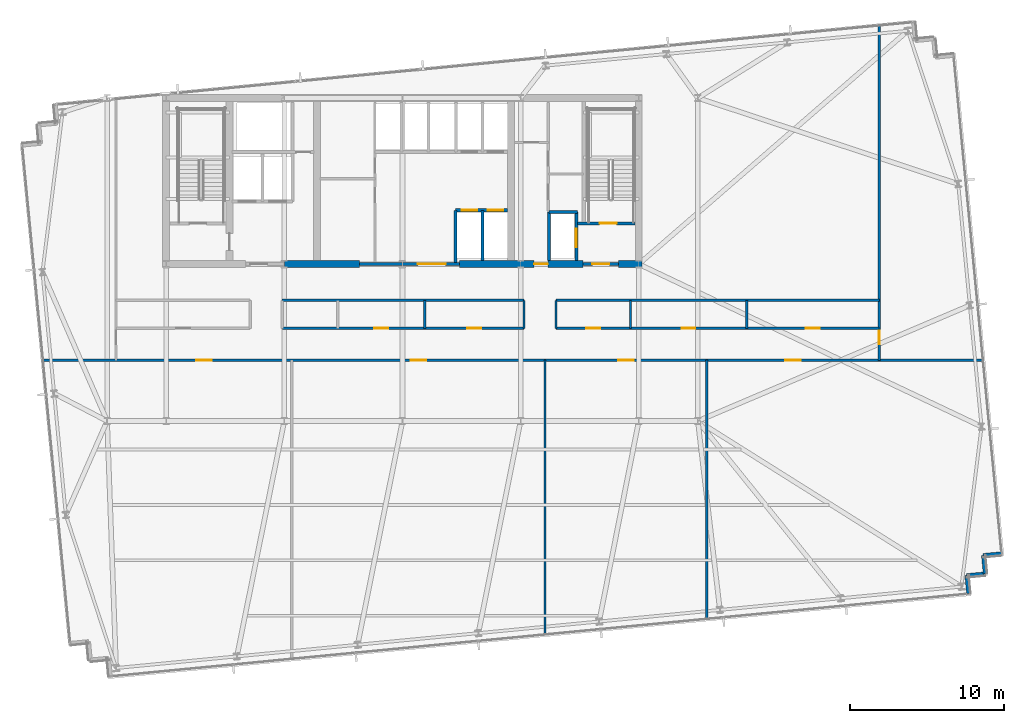
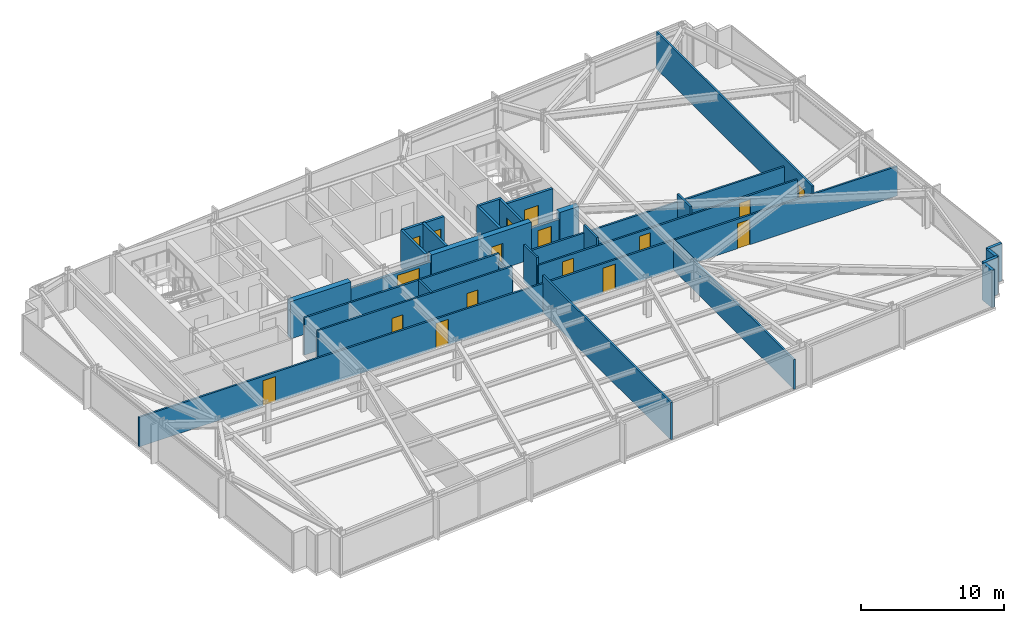
# One storey, part 25 of 32: 29 walls, 17 doors, 17 openings.
"""IFC4 building model written with IfcOpenShell, lengths in metres."""

from ifc_helpers import new_model, si_unit, direction, frame, frame_2d, origin, place, context, subcontext, project, spatial, rectangle, extrude, material, layer, layer_set, type_object, element, fill, save


model = new_model("IFC4")

# Units and contexts
model_context = context("Model", 3, precision=1e-05, world=origin(), true_north=direction((0.0, 1.0)))
body_context = subcontext(model_context, "Body", "Model", "MODEL_VIEW")
ifc_project = project(units=[si_unit("LENGTHUNIT", "METRE"), si_unit("AREAUNIT", "SQUARE_METRE"), si_unit("VOLUMEUNIT", "CUBIC_METRE"), si_unit("PLANEANGLEUNIT", "RADIAN"), si_unit("MASSUNIT", "GRAM", prefix="KILO")], contexts=[model_context])

# Site, building, storey
site_placement = place(None, origin())
site = spatial("IfcSite", under=ifc_project, at=site_placement, CompositionType="ELEMENT")
building_placement = place(site_placement, origin())
building = spatial("IfcBuilding", under=site, at=building_placement, Name="Yelkora Congress Tower", CompositionType="ELEMENT")
storey_placement = place(building_placement, frame((0.0, 0.0, 120.300048828125)))
storey = spatial("IfcBuildingStorey", under=building, at=storey_placement, Name="L32", CompositionType="ELEMENT", Elevation=120.300048828125)

# Wall
ifc_material_1 = material(Name="Concrete C60/75", Category="concrete")
ifc_layer_1 = layer(ifc_material_1, 0.449951171875)
ifc_layer_set_1 = layer_set([ifc_layer_1], Name="Concrete C60/75")
wall_type_1 = type_object("IfcWallType", Name="WALL-CORE-INT-450", PredefinedType="SHEAR", material=ifc_layer_set_1)
wall_1_placement = place(storey_placement, frame((30.719970703125, 35.39990234375, 0.0), z_axis=(0.0, 0.0, 1.0), x_axis=(1.0, 0.0, 0.0)))
element("IfcWall", 1, at=wall_1_placement, inside=storey, type_object=wall_type_1, Name="L32 Rear Core South-Center Shear Pier", PredefinedType="SHEAR", context=body_context, shape_type="SweptSolid", body=[
    extrude(rectangle(XDim=4.880126953125, YDim=0.449951171875, at=frame_2d((2.43994140625, 0.0))), origin(), (0.0, 0.0, 1.0), 3.179931640625),
])

# Wall, opening, door
wall_2_placement = place(storey_placement, frame((42.10009765625, 35.39990234375, 0.0), z_axis=(0.0, 0.0, 1.0), x_axis=(1.0, 0.0, 0.0)))
wall_2 = element("IfcWall", 2, at=wall_2_placement, inside=storey, type_object=wall_type_1, Name="L32 Rear Core South-East Shear Wall A", PredefinedType="SHEAR", context=body_context, shape_type="SweptSolid", body=[
    extrude(rectangle(XDim=8.0498046875, YDim=0.449951171875, at=frame_2d((4.02490234375, 0.0))), origin(), (0.0, 0.0, 1.0), 3.179931640625),
])
opening_1_placement = place(wall_2_placement, frame((4.85009765625, 0.0, 0.0)))
opening_1 = element("IfcOpeningElement", 3, at=opening_1_placement, cuts=wall_2, Name="Opening DR-090F6", PredefinedType="OPENING", context=body_context, shape_type="SweptSolid", body=[
    extrude(rectangle(XDim=0.89990234375, YDim=2.14990234375, at=frame_2d((0.449951171875, 1.074951171875))), frame((0.0, 0.23486328125, 0.0), z_axis=(0.0, -1.0, 0.0), x_axis=(1.0, 0.0, 0.0)), (0.0, 0.0, 1.0), 0.469970703125),
])
ifc_material_2 = material(Name="Painted steel riser fire door leaf", Category="steel")
door_type_1 = type_object("IfcDoorType", Name="DOOR-FD60-900", OperationType="NOTDEFINED", PredefinedType="DOOR", material=ifc_material_2)
door_1_placement = place(opening_1_placement, origin())
door_1 = element("IfcDoor", 4, at=door_1_placement, inside=storey, type_object=door_type_1, Name="L32 Core Washroom Lobby Door", OperationType="SINGLE_SWING_RIGHT", OverallHeight=2.14990234375, OverallWidth=0.89990234375, PredefinedType="DOOR", context=body_context, shape_type="SweptSolid", body=[
    extrude(rectangle(XDim=0.89990234375, YDim=2.14990234375, at=frame_2d((0.449951171875, 1.074951171875))), frame((0.0, 0.02490234375, 0.0), z_axis=(0.0, -1.0, 0.0), x_axis=(1.0, 0.0, 0.0)), (0.0, 0.0, 1.0), 0.050048828125),
])
fill(opening_1, door_1)

# Walls
wall_3_placement = place(storey_placement, frame((52.449951171875, 35.39990234375, 0.0), z_axis=(0.0, 0.0, 1.0), x_axis=(1.0, 0.0, 0.0)))
element("IfcWall", 5, at=wall_3_placement, inside=storey, type_object=wall_type_1, Name="L32 Rear Core South-East Shear Wall B", PredefinedType="SHEAR", context=body_context, shape_type="SweptSolid", body=[
    extrude(rectangle(XDim=1.53515625, YDim=0.449951171875, at=frame_2d((0.767578125, 0.0))), origin(), (0.0, 0.0, 1.0), 3.179931640625),
])
ifc_material_3 = material(Name="Concrete C40/50", Category="concrete")
ifc_layer_2 = layer(ifc_material_3, 0.239990234375)
ifc_layer_set_2 = layer_set([ifc_layer_2], Name="Concrete C40/50")
wall_type_2 = type_object("IfcWallType", Name="WALL-EXT-LIMESTONE-240", PredefinedType="SOLIDWALL", material=ifc_layer_set_2)
wall_4_placement = place(storey_placement, frame((77.34765625, 16.585693359375, 0.0), z_axis=(0.0, 0.0, 1.0), x_axis=(-0.995397091755, -0.095836473879, 0.0)))
element("IfcWall", 6, at=wall_4_placement, inside=storey, type_object=wall_type_2, Name="L32 Serrated Corner Limestone Pier 16", PredefinedType="SOLIDWALL", context=body_context, shape_type="SweptSolid", body=[
    extrude(rectangle(XDim=1.199951171875, YDim=0.239990234375, at=frame_2d((0.60009765625, 0.0))), origin(), (0.0, 0.0, 1.0), 3.179931640625),
])
for number, where, z_axis, x_axis, name in (
    (7, (76.1533203125, 16.470703125, 0.0), (0.0, 0.0, 1.0), (0.095817067274, -0.995398960025, 0.0), "L32 Serrated Corner Limestone Pier 17"),
    (8, (76.268310546875, 15.276123046875, 0.0), (0.0, 0.0, 1.0), (-0.995398960025, -0.095817067274, 0.0), "L32 Serrated Corner Limestone Pier 18"),
):
    element("IfcWall", number, at=place(storey_placement, frame(where, z_axis=z_axis, x_axis=x_axis)), inside=storey, type_object=wall_type_2, Name=name, PredefinedType="SOLIDWALL", context=body_context, shape_type="SweptSolid", body=[
        extrude(rectangle(XDim=1.2001953125, YDim=0.239990234375, at=frame_2d((0.60009765625, 0.0))), origin(), (0.0, 0.0, 1.0), 3.179931640625),
    ])
wall_5_placement = place(storey_placement, frame((75.07373046875, 15.1611328125, 0.0), z_axis=(0.0, 0.0, 1.0), x_axis=(0.095836473879, -0.995397091755, 0.0)))
element("IfcWall", 9, at=wall_5_placement, inside=storey, type_object=wall_type_2, Name="L32 Serrated Corner Limestone Pier 19", PredefinedType="SOLIDWALL", context=body_context, shape_type="SweptSolid", body=[
    extrude(rectangle(XDim=1.199951171875, YDim=0.239990234375, at=frame_2d((0.60009765625, 0.0))), origin(), (0.0, 0.0, 1.0), 3.179931640625),
])
ifc_material_4 = material(Name="Acoustic metal-stud gypsum partition", Category="gypsum")
ifc_layer_3 = layer(ifc_material_4, 0.14990234375)
ifc_layer_set_3 = layer_set([ifc_layer_3], Name="Acoustic metal-stud gypsum partition")
wall_type_3 = type_object("IfcWallType", Name="WALL-INT-150-NR", PredefinedType="PARTITIONING", material=ifc_layer_set_3)
wall_6_placement = place(storey_placement, frame((47.659912109375, 11.255615234375, 0.0), z_axis=(0.0, 0.0, 1.0), x_axis=(0.0, 1.0, 0.0)))
element("IfcWall", 10, at=wall_6_placement, inside=storey, type_object=wall_type_3, Name="L32 Partition Wall 28", PredefinedType="PARTITIONING", context=body_context, shape_type="SweptSolid", body=[
    extrude(rectangle(XDim=17.914306640625, YDim=0.14990234375, at=frame_2d((8.95703125, 0.0))), origin(), (0.0, 0.0, 1.0), 3.179931640625),
])
wall_7_placement = place(storey_placement, frame((58.176025390625, 12.268310546875, 0.0), z_axis=(0.0, 0.0, 1.0), x_axis=(0.0, 1.0, 0.0)))
element("IfcWall", 11, at=wall_7_placement, inside=storey, type_object=wall_type_3, Name="L32 Partition Wall 29", PredefinedType="PARTITIONING", context=body_context, shape_type="SweptSolid", body=[
    extrude(rectangle(XDim=16.901611328125, YDim=0.14990234375, at=frame_2d((8.45068359375, 0.0))), origin(), (0.0, 0.0, 1.0), 2.52490234375),
])

# Wall, openings, doors
wall_8_placement = place(storey_placement, frame((14.976318359375, 29.14990234375, 0.0), z_axis=(0.0, 0.0, 1.0), x_axis=(1.0, 0.0, 0.0)))
wall_8 = element("IfcWall", 12, at=wall_8_placement, inside=storey, type_object=wall_type_3, Name="L32 South Spine Wall", PredefinedType="PARTITIONING", context=body_context, shape_type="SweptSolid", body=[
    extrude(rectangle(XDim=61.221923828125, YDim=0.14990234375, at=frame_2d((30.61083984375, 0.0))), origin(), (0.0, 0.0, 1.0), 2.52490234375),
])
opening_2_placement = place(wall_8_placement, frame((10.01171875, 0.0, 0.0)))
opening_2 = element("IfcOpeningElement", 13, at=opening_2_placement, cuts=wall_8, Name="Opening DR-100N", PredefinedType="OPENING", context=body_context, shape_type="SweptSolid", body=[
    extrude(rectangle(XDim=1.0, YDim=2.14990234375, at=frame_2d((0.5, 1.074951171875))), frame((0.0, 0.0849609375, 0.0), z_axis=(0.0, -1.0, 0.0), x_axis=(1.0, 0.0, 0.0)), (0.0, 0.0, 1.0), 0.169921875),
])
opening_3_placement = place(wall_8_placement, frame((23.95361328125, 0.0, 0.0)))
opening_3 = element("IfcOpeningElement", 14, at=opening_3_placement, cuts=wall_8, Name="Opening DR-100N", PredefinedType="OPENING", context=body_context, shape_type="SweptSolid", body=[
    extrude(rectangle(XDim=1.0, YDim=2.14990234375, at=frame_2d((0.5, 1.074951171875))), frame((0.0, 0.0849609375, 0.0), z_axis=(0.0, -1.0, 0.0), x_axis=(1.0, 0.0, 0.0)), (0.0, 0.0, 1.0), 0.169921875),
])
opening_4_placement = place(wall_8_placement, frame((37.441650390625, 0.0, 0.0)))
opening_4 = element("IfcOpeningElement", 15, at=opening_4_placement, cuts=wall_8, Name="Opening DR-100N", PredefinedType="OPENING", context=body_context, shape_type="SweptSolid", body=[
    extrude(rectangle(XDim=1.0, YDim=2.14990234375, at=frame_2d((0.5, 1.074951171875))), frame((0.0, 0.0849609375, 0.0), z_axis=(0.0, -1.0, 0.0), x_axis=(1.0, 0.0, 0.0)), (0.0, 0.0, 1.0), 0.169921875),
])
opening_5_placement = place(wall_8_placement, frame((48.310546875, 0.0, 0.0)))
opening_5 = element("IfcOpeningElement", 16, at=opening_5_placement, cuts=wall_8, Name="Opening DR-100N", PredefinedType="OPENING", context=body_context, shape_type="SweptSolid", body=[
    extrude(rectangle(XDim=1.0, YDim=2.14990234375, at=frame_2d((0.5, 1.074951171875))), frame((0.0, 0.0849609375, 0.0), z_axis=(0.0, -1.0, 0.0), x_axis=(1.0, 0.0, 0.0)), (0.0, 0.0, 1.0), 0.169921875),
])
ifc_material_5 = material(Name="Solid-core Anatolian oak veneer door", Category="wood")
door_type_2 = type_object("IfcDoorType", Name="DOOR-INT-1000", OperationType="NOTDEFINED", PredefinedType="DOOR", material=ifc_material_5)
door_2_placement = place(opening_2_placement, origin())
door_2 = element("IfcDoor", 17, at=door_2_placement, inside=storey, type_object=door_type_2, Name="L32 Open-Plan Office Door", OperationType="SINGLE_SWING_LEFT", OverallHeight=2.14990234375, OverallWidth=1.0, PredefinedType="DOOR", context=body_context, shape_type="SweptSolid", body=[
    extrude(rectangle(XDim=1.0, YDim=2.14990234375, at=frame_2d((0.5, 1.074951171875))), frame((0.0, 0.02490234375, 0.0), z_axis=(0.0, -1.0, 0.0), x_axis=(1.0, 0.0, 0.0)), (0.0, 0.0, 1.0), 0.050048828125),
])
fill(opening_2, door_2)
door_3_placement = place(opening_3_placement, origin())
door_3 = element("IfcDoor", 18, at=door_3_placement, inside=storey, type_object=door_type_2, Name="L32 Collaboration Living Hub Door", OperationType="SINGLE_SWING_RIGHT", OverallHeight=2.14990234375, OverallWidth=1.0, PredefinedType="DOOR", context=body_context, shape_type="SweptSolid", body=[
    extrude(rectangle(XDim=1.0, YDim=2.14990234375, at=frame_2d((0.5, 1.074951171875))), frame((0.0, 0.02490234375, 0.0), z_axis=(0.0, -1.0, 0.0), x_axis=(1.0, 0.0, 0.0)), (0.0, 0.0, 1.0), 0.050048828125),
])
fill(opening_3, door_3)
door_4_placement = place(opening_4_placement, origin())
door_4 = element("IfcDoor", 19, at=door_4_placement, inside=storey, type_object=door_type_2, Name="L32 Catering Kitchenette Door", OperationType="SINGLE_SWING_LEFT", OverallHeight=2.14990234375, OverallWidth=1.0, PredefinedType="DOOR", context=body_context, shape_type="SweptSolid", body=[
    extrude(rectangle(XDim=1.0, YDim=2.14990234375, at=frame_2d((0.5, 1.074951171875))), frame((0.0, 0.02490234375, 0.0), z_axis=(0.0, -1.0, 0.0), x_axis=(1.0, 0.0, 0.0)), (0.0, 0.0, 1.0), 0.050048828125),
])
fill(opening_4, door_4)
door_5_placement = place(opening_5_placement, origin())
door_5 = element("IfcDoor", 20, at=door_5_placement, inside=storey, type_object=door_type_2, Name="L32 Catering Kitchenette Door", OperationType="SINGLE_SWING_RIGHT", OverallHeight=2.14990234375, OverallWidth=1.0, PredefinedType="DOOR", context=body_context, shape_type="SweptSolid", body=[
    extrude(rectangle(XDim=1.0, YDim=2.14990234375, at=frame_2d((0.5, 1.074951171875))), frame((0.0, 0.02490234375, 0.0), z_axis=(0.0, -1.0, 0.0), x_axis=(1.0, 0.0, 0.0)), (0.0, 0.0, 1.0), 0.050048828125),
])
fill(opening_5, door_5)

# Wall, opening, door
wall_9_placement = place(storey_placement, frame((69.39794921875, 29.14990234375, 0.0), z_axis=(0.0, 0.0, 1.0), x_axis=(0.0, 1.0, 0.0)))
wall_9 = element("IfcWall", 21, at=wall_9_placement, inside=storey, type_object=wall_type_3, Name="L32 Partition Wall 32", PredefinedType="PARTITIONING", context=body_context, shape_type="SweptSolid", body=[
    extrude(rectangle(XDim=21.81201171875, YDim=0.14990234375, at=frame_2d((10.906005859375, 0.0))), origin(), (0.0, 0.0, 1.0), 3.179931640625),
])
opening_6_placement = place(wall_9_placement, frame((1.030029296875, 0.0, 0.0)))
opening_6 = element("IfcOpeningElement", 22, at=opening_6_placement, cuts=wall_9, Name="Opening DR-090N", PredefinedType="OPENING", context=body_context, shape_type="SweptSolid", body=[
    extrude(rectangle(XDim=0.89990234375, YDim=2.14990234375, at=frame_2d((0.449951171875, 1.074951171875))), frame((0.0, 0.0849609375, 0.0), z_axis=(0.0, -1.0, 0.0), x_axis=(1.0, 0.0, 0.0)), (0.0, 0.0, 1.0), 0.169921875),
])
ifc_material_6 = material(Name="Moisture-resistant laminate door leaf", Category="wood")
door_type_3 = type_object("IfcDoorType", Name="DOOR-INT-900", OperationType="NOTDEFINED", PredefinedType="DOOR", material=ifc_material_6)
door_6_placement = place(opening_6_placement, origin())
door_6 = element("IfcDoor", 23, at=door_6_placement, inside=storey, type_object=door_type_3, Name="L32 E Wing Door", OperationType="SINGLE_SWING_RIGHT", OverallHeight=2.14990234375, OverallWidth=0.89990234375, PredefinedType="DOOR", context=body_context, shape_type="SweptSolid", body=[
    extrude(rectangle(XDim=0.89990234375, YDim=2.14990234375, at=frame_2d((0.449951171875, 1.074951171875))), frame((0.0, 0.02490234375, 0.0), z_axis=(0.0, -1.0, 0.0), x_axis=(1.0, 0.0, 0.0)), (0.0, 0.0, 1.0), 0.050048828125),
])
fill(opening_6, door_6)

# Walls
wall_10_placement = place(storey_placement, frame((46.300048828125, 31.22998046875, 0.0), z_axis=(0.0, 0.0, 1.0), x_axis=(0.0, 1.0, 0.0)))
element("IfcWall", 24, at=wall_10_placement, inside=storey, type_object=wall_type_3, Name="L32 Partition Wall 35", PredefinedType="PARTITIONING", context=body_context, shape_type="SweptSolid", body=[
    extrude(rectangle(XDim=1.820068359375, YDim=0.14990234375, at=frame_2d((0.91015625, 0.0))), origin(), (0.0, 0.0, 1.0), 2.52490234375),
])
wall_11_placement = place(storey_placement, frame((48.3798828125, 31.22998046875, 0.0), z_axis=(0.0, 0.0, 1.0), x_axis=(0.0, 1.0, 0.0)))
element("IfcWall", 25, at=wall_11_placement, inside=storey, type_object=wall_type_3, Name="L32 Partition Wall 36", PredefinedType="PARTITIONING", context=body_context, shape_type="SweptSolid", body=[
    extrude(rectangle(XDim=1.820068359375, YDim=0.14990234375, at=frame_2d((0.91015625, 0.0))), origin(), (0.0, 0.0, 1.0), 3.179931640625),
])
wall_12_placement = place(storey_placement, frame((30.580078125, 33.050048828125, 0.0), z_axis=(0.0, 0.0, 1.0), x_axis=(1.0, 0.0, 0.0)))
element("IfcWall", 26, at=wall_12_placement, inside=storey, type_object=wall_type_3, Name="L32 Partition Wall 38", PredefinedType="PARTITIONING", context=body_context, shape_type="SweptSolid", body=[
    extrude(rectangle(XDim=15.719970703125, YDim=0.14990234375, at=frame_2d((7.85986328125, 0.0))), origin(), (0.0, 0.0, 1.0), 3.179931640625),
])
wall_13_placement = place(storey_placement, frame((48.3798828125, 33.050048828125, 0.0), z_axis=(0.0, 0.0, 1.0), x_axis=(1.0, 0.0, 0.0)))
element("IfcWall", 27, at=wall_13_placement, inside=storey, type_object=wall_type_3, Name="L32 Partition Wall 39", PredefinedType="PARTITIONING", context=body_context, shape_type="SweptSolid", body=[
    extrude(rectangle(XDim=21.01806640625, YDim=0.14990234375, at=frame_2d((10.509033203125, 0.0))), origin(), (0.0, 0.0, 1.0), 2.52490234375),
])
wall_14_placement = place(storey_placement, frame((39.85302734375, 31.22998046875, 0.0), z_axis=(0.0, 0.0, 1.0), x_axis=(0.0, 1.0, 0.0)))
element("IfcWall", 28, at=wall_14_placement, inside=storey, type_object=wall_type_3, Name="L32 Partition Wall 42", PredefinedType="PARTITIONING", context=body_context, shape_type="SweptSolid", body=[
    extrude(rectangle(XDim=1.820068359375, YDim=0.14990234375, at=frame_2d((0.91015625, 0.0))), origin(), (0.0, 0.0, 1.0), 3.179931640625),
])

# Wall, openings, doors
wall_15_placement = place(storey_placement, frame((30.590087890625, 31.22998046875, 0.0), z_axis=(0.0, 0.0, 1.0), x_axis=(1.0, 0.0, 0.0)))
wall_15 = element("IfcWall", 29, at=wall_15_placement, inside=storey, type_object=wall_type_3, Name="L32 Partition Wall 43", PredefinedType="PARTITIONING", context=body_context, shape_type="SweptSolid", body=[
    extrude(rectangle(XDim=15.699951171875, YDim=0.14990234375, at=frame_2d((7.85009765625, 0.0))), origin(), (0.0, 0.0, 1.0), 3.179931640625),
])
opening_7_placement = place(wall_15_placement, frame((5.987060546875, 0.0, 0.0)))
opening_7 = element("IfcOpeningElement", 30, at=opening_7_placement, cuts=wall_15, Name="Opening DR-090N", PredefinedType="OPENING", context=body_context, shape_type="SweptSolid", body=[
    extrude(rectangle(XDim=0.89990234375, YDim=2.14990234375, at=frame_2d((0.449951171875, 1.074951171875))), frame((0.0, 0.0849609375, 0.0), z_axis=(0.0, -1.0, 0.0), x_axis=(1.0, 0.0, 0.0)), (0.0, 0.0, 1.0), 0.169921875),
])
opening_8_placement = place(wall_15_placement, frame((12.031494140625, 0.0, 0.0)))
opening_8 = element("IfcOpeningElement", 31, at=opening_8_placement, cuts=wall_15, Name="Opening DR-090N", PredefinedType="OPENING", context=body_context, shape_type="SweptSolid", body=[
    extrude(rectangle(XDim=0.89990234375, YDim=2.14990234375, at=frame_2d((0.449951171875, 1.074951171875))), frame((0.0, 0.0849609375, 0.0), z_axis=(0.0, -1.0, 0.0), x_axis=(1.0, 0.0, 0.0)), (0.0, 0.0, 1.0), 0.169921875),
])
door_7_placement = place(opening_7_placement, origin())
door_7 = element("IfcDoor", 32, at=door_7_placement, inside=storey, type_object=door_type_3, Name="L32 Staff Operations Room Door", OperationType="SINGLE_SWING_RIGHT", OverallHeight=2.14990234375, OverallWidth=0.89990234375, PredefinedType="DOOR", context=body_context, shape_type="SweptSolid", body=[
    extrude(rectangle(XDim=0.89990234375, YDim=2.14990234375, at=frame_2d((0.449951171875, 1.074951171875))), frame((0.0, 0.02490234375, 0.0), z_axis=(0.0, -1.0, 0.0), x_axis=(1.0, 0.0, 0.0)), (0.0, 0.0, 1.0), 0.050048828125),
])
fill(opening_7, door_7)
door_8_placement = place(opening_8_placement, origin())
door_8 = element("IfcDoor", 33, at=door_8_placement, inside=storey, type_object=door_type_3, Name="L32 Security Control Room Door", OperationType="SINGLE_SWING_LEFT", OverallHeight=2.14990234375, OverallWidth=0.89990234375, PredefinedType="DOOR", context=body_context, shape_type="SweptSolid", body=[
    extrude(rectangle(XDim=0.89990234375, YDim=2.14990234375, at=frame_2d((0.449951171875, 1.074951171875))), frame((0.0, 0.02490234375, 0.0), z_axis=(0.0, -1.0, 0.0), x_axis=(1.0, 0.0, 0.0)), (0.0, 0.0, 1.0), 0.050048828125),
])
fill(opening_8, door_8)

# Walls
for number, where, z_axis, x_axis, name in (
    (34, (53.217041015625, 31.22998046875, 0.0), (0.0, 0.0, 1.0), (0.0, 1.0, 0.0), "L32 Partition Wall 44"),
    (35, (60.77294921875, 31.22998046875, 0.0), (0.0, 0.0, 1.0), (0.0, 1.0, 0.0), "L32 Partition Wall 45"),
):
    element("IfcWall", number, at=place(storey_placement, frame(where, z_axis=z_axis, x_axis=x_axis)), inside=storey, type_object=wall_type_3, Name=name, PredefinedType="PARTITIONING", context=body_context, shape_type="SweptSolid", body=[
        extrude(rectangle(XDim=1.820068359375, YDim=0.14990234375, at=frame_2d((0.91015625, 0.0))), origin(), (0.0, 0.0, 1.0), 3.179931640625),
    ])

# Wall, openings, doors
wall_16_placement = place(storey_placement, frame((48.389892578125, 31.22998046875, 0.0), z_axis=(0.0, 0.0, 1.0), x_axis=(1.0, 0.0, 0.0)))
wall_16 = element("IfcWall", 36, at=wall_16_placement, inside=storey, type_object=wall_type_3, Name="L32 Partition Wall 46", PredefinedType="PARTITIONING", context=body_context, shape_type="SweptSolid", body=[
    extrude(rectangle(XDim=20.988037109375, YDim=0.14990234375, at=frame_2d((10.494140625, 0.0))), origin(), (0.0, 0.0, 1.0), 2.52490234375),
])
opening_9_placement = place(wall_16_placement, frame((1.96337890625, 0.0, 0.0)))
opening_9 = element("IfcOpeningElement", 37, at=opening_9_placement, cuts=wall_16, Name="Opening DR-090N", PredefinedType="OPENING", context=body_context, shape_type="SweptSolid", body=[
    extrude(rectangle(XDim=0.89990234375, YDim=2.14990234375, at=frame_2d((0.449951171875, 1.074951171875))), frame((0.0, 0.0849609375, 0.0), z_axis=(0.0, -1.0, 0.0), x_axis=(1.0, 0.0, 0.0)), (0.0, 0.0, 1.0), 0.169921875),
])
opening_10_placement = place(wall_16_placement, frame((8.155029296875, 0.0, 0.0)))
opening_10 = element("IfcOpeningElement", 38, at=opening_10_placement, cuts=wall_16, Name="Opening DR-090N", PredefinedType="OPENING", context=body_context, shape_type="SweptSolid", body=[
    extrude(rectangle(XDim=0.89990234375, YDim=2.14990234375, at=frame_2d((0.449951171875, 1.074951171875))), frame((0.0, 0.0849609375, 0.0), z_axis=(0.0, -1.0, 0.0), x_axis=(1.0, 0.0, 0.0)), (0.0, 0.0, 1.0), 0.169921875),
])
opening_11_placement = place(wall_16_placement, frame((16.235595703125, 0.0, 0.0)))
opening_11 = element("IfcOpeningElement", 39, at=opening_11_placement, cuts=wall_16, Name="Opening DR-090N", PredefinedType="OPENING", context=body_context, shape_type="SweptSolid", body=[
    extrude(rectangle(XDim=0.89990234375, YDim=2.14990234375, at=frame_2d((0.449951171875, 1.074951171875))), frame((0.0, 0.0849609375, 0.0), z_axis=(0.0, -1.0, 0.0), x_axis=(1.0, 0.0, 0.0)), (0.0, 0.0, 1.0), 0.169921875),
])
door_9_placement = place(opening_9_placement, origin())
door_9 = element("IfcDoor", 40, at=door_9_placement, inside=storey, type_object=door_type_3, Name="L32 Staff Operations Room Door", OperationType="SINGLE_SWING_RIGHT", OverallHeight=2.14990234375, OverallWidth=0.89990234375, PredefinedType="DOOR", context=body_context, shape_type="SweptSolid", body=[
    extrude(rectangle(XDim=0.89990234375, YDim=2.14990234375, at=frame_2d((0.449951171875, 1.074951171875))), frame((0.0, 0.02490234375, 0.0), z_axis=(0.0, -1.0, 0.0), x_axis=(1.0, 0.0, 0.0)), (0.0, 0.0, 1.0), 0.050048828125),
])
fill(opening_9, door_9)
door_10_placement = place(opening_10_placement, origin())
door_10 = element("IfcDoor", 41, at=door_10_placement, inside=storey, type_object=door_type_3, Name="L32 Security Control Room Door", OperationType="SINGLE_SWING_LEFT", OverallHeight=2.14990234375, OverallWidth=0.89990234375, PredefinedType="DOOR", context=body_context, shape_type="SweptSolid", body=[
    extrude(rectangle(XDim=0.89990234375, YDim=2.14990234375, at=frame_2d((0.449951171875, 1.074951171875))), frame((0.0, 0.02490234375, 0.0), z_axis=(0.0, -1.0, 0.0), x_axis=(1.0, 0.0, 0.0)), (0.0, 0.0, 1.0), 0.050048828125),
])
fill(opening_10, door_10)
door_11_placement = place(opening_11_placement, origin())
door_11 = element("IfcDoor", 42, at=door_11_placement, inside=storey, type_object=door_type_3, Name="L32 Hospitality Pantry Door", OperationType="SINGLE_SWING_RIGHT", OverallHeight=2.14990234375, OverallWidth=0.89990234375, PredefinedType="DOOR", context=body_context, shape_type="SweptSolid", body=[
    extrude(rectangle(XDim=0.89990234375, YDim=2.14990234375, at=frame_2d((0.449951171875, 1.074951171875))), frame((0.0, 0.02490234375, 0.0), z_axis=(0.0, -1.0, 0.0), x_axis=(1.0, 0.0, 0.0)), (0.0, 0.0, 1.0), 0.050048828125),
])
fill(opening_11, door_11)

# Wall, opening, door
ifc_material_7 = material(Name="Autoclaved aerated concrete blockwork", Category="masonry")
ifc_layer_4 = layer(ifc_material_7, 0.199951171875)
ifc_layer_set_4 = layer_set([ifc_layer_4], Name="Autoclaved aerated concrete blockwork")
wall_type_4 = type_object("IfcWallType", Name="WALL-INT-200-R120", PredefinedType="PARTITIONING", material=ifc_layer_set_4)
wall_17_placement = place(storey_placement, frame((35.60009765625, 35.39990234375, 0.0), z_axis=(0.0, 0.0, 1.0), x_axis=(1.0, 0.0, 0.0)))
wall_17 = element("IfcWall", 43, at=wall_17_placement, inside=storey, type_object=wall_type_4, Name="L32 Main Lift Lobby South Portal Wall", PredefinedType="PARTITIONING", context=body_context, shape_type="SweptSolid", body=[
    extrude(rectangle(XDim=6.5, YDim=0.199951171875, at=frame_2d((3.25, 0.0))), origin(), (0.0, 0.0, 1.0), 2.52490234375),
])
opening_12_placement = place(wall_17_placement, frame((3.800048828125, 0.0, 0.0)))
opening_12 = element("IfcOpeningElement", 44, at=opening_12_placement, cuts=wall_17, Name="Opening DR-180D", PredefinedType="OPENING", context=body_context, shape_type="SweptSolid", body=[
    extrude(rectangle(XDim=1.800048828125, YDim=2.300048828125, at=frame_2d((0.89990234375, 1.14990234375))), frame((0.0, 0.10986328125, 0.0), z_axis=(0.0, -1.0, 0.0), x_axis=(1.0, 0.0, 0.0)), (0.0, 0.0, 1.0), 0.219970703125),
])
ifc_material_8 = material(Name="Acoustic double congress hall doors", Category="wood")
door_type_4 = type_object("IfcDoorType", Name="DOOR-DBL-1800", OperationType="DOUBLE_DOOR_SINGLE_SWING", PredefinedType="DOOR", material=ifc_material_8)
door_12_placement = place(opening_12_placement, origin())
door_12 = element("IfcDoor", 45, at=door_12_placement, inside=storey, type_object=door_type_4, Name="L32 Main Lift Lobby Portal Door", OperationType="DOUBLE_DOOR_SINGLE_SWING", OverallHeight=2.300048828125, OverallWidth=1.800048828125, PredefinedType="DOOR", context=body_context, shape_type="SweptSolid", body=[
    extrude(rectangle(XDim=1.800048828125, YDim=2.300048828125, at=frame_2d((0.89990234375, 1.14990234375))), frame((0.0, 0.02490234375, 0.0), z_axis=(0.0, -1.0, 0.0), x_axis=(1.0, 0.0, 0.0)), (0.0, 0.0, 1.0), 0.050048828125),
])
fill(opening_12, door_12)

# Wall, openings, doors
wall_18_placement = place(storey_placement, frame((41.85009765625, 38.89990234375, 0.0), z_axis=(0.0, 0.0, 1.0), x_axis=(1.0, 0.0, 0.0)))
wall_18 = element("IfcWall", 46, at=wall_18_placement, inside=storey, type_object=wall_type_4, Name="L32 Partition Wall 13", PredefinedType="PARTITIONING", context=body_context, shape_type="SweptSolid", body=[
    extrude(rectangle(XDim=3.369873046875, YDim=0.199951171875, at=frame_2d((1.68505859375, 0.0))), origin(), (0.0, 0.0, 1.0), 3.179931640625),
])
opening_13_placement = place(wall_18_placement, frame((0.39990234375, 0.0, 0.0)))
opening_13 = element("IfcOpeningElement", 47, at=opening_13_placement, cuts=wall_18, Name="Opening LD-PS10", PredefinedType="OPENING", context=body_context, shape_type="SweptSolid", body=[
    extrude(rectangle(XDim=1.0, YDim=2.199951171875, at=frame_2d((0.5, 1.10009765625))), frame((0.0, 0.10986328125, 0.0), z_axis=(0.0, -1.0, 0.0), x_axis=(1.0, 0.0, 0.0)), (0.0, 0.0, 1.0), 0.219970703125),
])
opening_14_placement = place(wall_18_placement, frame((2.10009765625, 0.0, 0.0)))
opening_14 = element("IfcOpeningElement", 48, at=opening_14_placement, cuts=wall_18, Name="Opening LD-PS10", PredefinedType="OPENING", context=body_context, shape_type="SweptSolid", body=[
    extrude(rectangle(XDim=1.0, YDim=2.199951171875, at=frame_2d((0.5, 1.10009765625))), frame((0.0, 0.10986328125, 0.0), z_axis=(0.0, -1.0, 0.0), x_axis=(1.0, 0.0, 0.0)), (0.0, 0.0, 1.0), 0.219970703125),
])
ifc_material_9 = material(Name="Champagne stainless steel landing door", Category="steel")
door_type_5 = type_object("IfcDoorType", Name="DOOR-LIFT-PAS-1000", OperationType="DOUBLE_DOOR_SLIDING", PredefinedType="DOOR", material=ifc_material_9)
door_13_placement = place(opening_13_placement, origin())
door_13 = element("IfcDoor", 49, at=door_13_placement, inside=storey, type_object=door_type_5, Name="Lift Landing Door LF-P5 L32", OperationType="DOUBLE_DOOR_SLIDING", OverallHeight=2.199951171875, OverallWidth=1.0, PredefinedType="DOOR", context=body_context, shape_type="SweptSolid", body=[
    extrude(rectangle(XDim=1.0, YDim=2.199951171875, at=frame_2d((0.5, 1.10009765625))), frame((0.0, 0.02490234375, 0.0), z_axis=(0.0, -1.0, 0.0), x_axis=(1.0, 0.0, 0.0)), (0.0, 0.0, 1.0), 0.050048828125),
])
fill(opening_13, door_13)
door_14_placement = place(opening_14_placement, origin())
door_14 = element("IfcDoor", 50, at=door_14_placement, inside=storey, type_object=door_type_5, Name="Lift Landing Door LF-P6 L32", OperationType="DOUBLE_DOOR_SLIDING", OverallHeight=2.199951171875, OverallWidth=1.0, PredefinedType="DOOR", context=body_context, shape_type="SweptSolid", body=[
    extrude(rectangle(XDim=1.0, YDim=2.199951171875, at=frame_2d((0.5, 1.10009765625))), frame((0.0, 0.02490234375, 0.0), z_axis=(0.0, -1.0, 0.0), x_axis=(1.0, 0.0, 0.0)), (0.0, 0.0, 1.0), 0.050048828125),
])
fill(opening_14, door_14)

# Walls
wall_19_placement = place(storey_placement, frame((43.60009765625, 35.64990234375, 0.0), z_axis=(0.0, 0.0, 1.0), x_axis=(0.0, 1.0, 0.0)))
element("IfcWall", 51, at=wall_19_placement, inside=storey, type_object=wall_type_4, Name="L32 Partition Wall 15", PredefinedType="PARTITIONING", context=body_context, shape_type="SweptSolid", body=[
    extrude(rectangle(XDim=3.25, YDim=0.199951171875, at=frame_2d((1.625, 0.0))), origin(), (0.0, 0.0, 1.0), 3.179931640625),
])
wall_20_placement = place(storey_placement, frame((41.85009765625, 35.5, 0.0), z_axis=(0.0, 0.0, 1.0), x_axis=(0.0, 1.0, 0.0)))
element("IfcWall", 52, at=wall_20_placement, inside=storey, type_object=wall_type_4, Name="L32 Partition Wall 17", PredefinedType="PARTITIONING", context=body_context, shape_type="SweptSolid", body=[
    extrude(rectangle(XDim=3.39990234375, YDim=0.199951171875, at=frame_2d((1.699951171875, 0.0))), origin(), (0.0, 0.0, 1.0), 3.179931640625),
])

# Wall, opening, door
wall_21_placement = place(storey_placement, frame((49.780029296875, 38.050048828125, 0.0), z_axis=(0.0, 0.0, 1.0), x_axis=(1.0, 0.0, 0.0)))
wall_21 = element("IfcWall", 53, at=wall_21_placement, inside=storey, type_object=wall_type_4, Name="L32 Stair ST-02 Enclosure Wall", PredefinedType="PARTITIONING", context=body_context, shape_type="SweptSolid", body=[
    extrude(rectangle(XDim=3.719970703125, YDim=0.199951171875, at=frame_2d((1.85986328125, 0.0))), origin(), (0.0, 0.0, 1.0), 3.179931640625),
])
opening_15_placement = place(wall_21_placement, frame((1.436279296875, 0.0, 0.0)))
opening_15 = element("IfcOpeningElement", 54, at=opening_15_placement, cuts=wall_21, Name="Opening DR-110F9", PredefinedType="OPENING", context=body_context, shape_type="SweptSolid", body=[
    extrude(rectangle(XDim=1.10009765625, YDim=2.14990234375, at=frame_2d((0.550048828125, 1.074951171875))), frame((0.0, 0.10986328125, 0.0), z_axis=(0.0, -1.0, 0.0), x_axis=(1.0, 0.0, 0.0)), (0.0, 0.0, 1.0), 0.219970703125),
])
ifc_material_10 = material(Name="Galvanised steel fire door leaf", Category="steel")
door_type_6 = type_object("IfcDoorType", Name="DOOR-FD90-1100", OperationType="NOTDEFINED", PredefinedType="DOOR", material=ifc_material_10)
door_15_placement = place(opening_15_placement, origin())
door_15 = element("IfcDoor", 55, at=door_15_placement, inside=storey, type_object=door_type_6, Name="L32 Stair ST-02 Entry Door", OperationType="SINGLE_SWING_LEFT", OverallHeight=2.14990234375, OverallWidth=1.10009765625, PredefinedType="DOOR", context=body_context, shape_type="SweptSolid", body=[
    extrude(rectangle(XDim=1.10009765625, YDim=2.14990234375, at=frame_2d((0.550048828125, 1.074951171875))), frame((0.0, 0.02490234375, 0.0), z_axis=(0.0, -1.0, 0.0), x_axis=(1.0, 0.0, 0.0)), (0.0, 0.0, 1.0), 0.050048828125),
])
fill(opening_15, door_15)

wall_22_placement = place(storey_placement, frame((50.14990234375, 35.39990234375, 0.0), z_axis=(0.0, 0.0, 1.0), x_axis=(1.0, 0.0, 0.0)))
wall_22 = element("IfcWall", 56, at=wall_22_placement, inside=storey, type_object=wall_type_4, Name="L32 Partition Wall 20", PredefinedType="PARTITIONING", context=body_context, shape_type="SweptSolid", body=[
    extrude(rectangle(XDim=2.300048828125, YDim=0.199951171875, at=frame_2d((1.14990234375, 0.0))), origin(), (0.0, 0.0, 1.0), 2.52490234375),
])
opening_16_placement = place(wall_22_placement, frame((0.60009765625, 0.0, 0.0)))
opening_16 = element("IfcOpeningElement", 57, at=opening_16_placement, cuts=wall_22, Name="Opening DR-110F9", PredefinedType="OPENING", context=body_context, shape_type="SweptSolid", body=[
    extrude(rectangle(XDim=1.10009765625, YDim=2.14990234375, at=frame_2d((0.550048828125, 1.074951171875))), frame((0.0, 0.10986328125, 0.0), z_axis=(0.0, -1.0, 0.0), x_axis=(1.0, 0.0, 0.0)), (0.0, 0.0, 1.0), 0.219970703125),
])
door_16_placement = place(opening_16_placement, origin())
door_16 = element("IfcDoor", 58, at=door_16_placement, inside=storey, type_object=door_type_6, Name="L32 East Stair Lobby Door", OperationType="SINGLE_SWING_RIGHT", OverallHeight=2.14990234375, OverallWidth=1.10009765625, PredefinedType="DOOR", context=body_context, shape_type="SweptSolid", body=[
    extrude(rectangle(XDim=1.10009765625, YDim=2.14990234375, at=frame_2d((0.550048828125, 1.074951171875))), frame((0.0, 0.02490234375, 0.0), z_axis=(0.0, -1.0, 0.0), x_axis=(1.0, 0.0, 0.0)), (0.0, 0.0, 1.0), 0.050048828125),
])
fill(opening_16, door_16)

wall_23_placement = place(storey_placement, frame((49.699951171875, 35.64990234375, 0.0), z_axis=(0.0, 0.0, 1.0), x_axis=(0.0, 1.0, 0.0)))
wall_23 = element("IfcWall", 59, at=wall_23_placement, inside=storey, type_object=wall_type_4, Name="L32 Partition Wall 21", PredefinedType="PARTITIONING", context=body_context, shape_type="SweptSolid", body=[
    extrude(rectangle(XDim=3.150146484375, YDim=0.199951171875, at=frame_2d((1.5751953125, 0.0))), origin(), (0.0, 0.0, 1.0), 3.179931640625),
])
opening_17_placement = place(wall_23_placement, frame((0.85009765625, 0.0, 0.0)))
opening_17 = element("IfcOpeningElement", 60, at=opening_17_placement, cuts=wall_23, Name="Opening LD-SV12", PredefinedType="OPENING", context=body_context, shape_type="SweptSolid", body=[
    extrude(rectangle(XDim=1.199951171875, YDim=2.199951171875, at=frame_2d((0.60009765625, 1.10009765625))), frame((0.0, 0.10986328125, 0.0), z_axis=(0.0, -1.0, 0.0), x_axis=(1.0, 0.0, 0.0)), (0.0, 0.0, 1.0), 0.219970703125),
])
ifc_material_11 = material(Name="Heavy-duty stainless steel landing door", Category="steel")
door_type_7 = type_object("IfcDoorType", Name="DOOR-LIFT-SRV-1200", OperationType="DOUBLE_DOOR_SLIDING", PredefinedType="DOOR", material=ifc_material_11)
door_17_placement = place(opening_17_placement, origin())
door_17 = element("IfcDoor", 61, at=door_17_placement, inside=storey, type_object=door_type_7, Name="Service Lift Landing Door LF-SV1 L32", OperationType="DOUBLE_DOOR_SLIDING", OverallHeight=2.199951171875, OverallWidth=1.199951171875, PredefinedType="DOOR", context=body_context, shape_type="SweptSolid", body=[
    extrude(rectangle(XDim=1.199951171875, YDim=2.199951171875, at=frame_2d((0.60009765625, 1.10009765625))), frame((0.0, 0.02490234375, 0.0), z_axis=(0.0, -1.0, 0.0), x_axis=(1.0, 0.0, 0.0)), (0.0, 0.0, 1.0), 0.050048828125),
])
fill(opening_17, door_17)

# Walls
wall_24_placement = place(storey_placement, frame((47.919921875, 35.64990234375, 0.0), z_axis=(0.0, 0.0, 1.0), x_axis=(0.0, 1.0, 0.0)))
element("IfcWall", 62, at=wall_24_placement, inside=storey, type_object=wall_type_4, Name="L32 Partition Wall 22", PredefinedType="PARTITIONING", context=body_context, shape_type="SweptSolid", body=[
    extrude(rectangle(XDim=3.150146484375, YDim=0.199951171875, at=frame_2d((1.5751953125, 0.0))), origin(), (0.0, 0.0, 1.0), 3.179931640625),
])
wall_25_placement = place(storey_placement, frame((47.919921875, 38.800048828125, 0.0), z_axis=(0.0, 0.0, 1.0), x_axis=(1.0, 0.0, 0.0)))
element("IfcWall", 63, at=wall_25_placement, inside=storey, type_object=wall_type_4, Name="L32 Partition Wall 23", PredefinedType="PARTITIONING", context=body_context, shape_type="SweptSolid", body=[
    extrude(rectangle(XDim=1.860107421875, YDim=0.199951171875, at=frame_2d((0.93017578125, 0.0))), origin(), (0.0, 0.0, 1.0), 3.179931640625),
])

save(model, "model.ifc")
